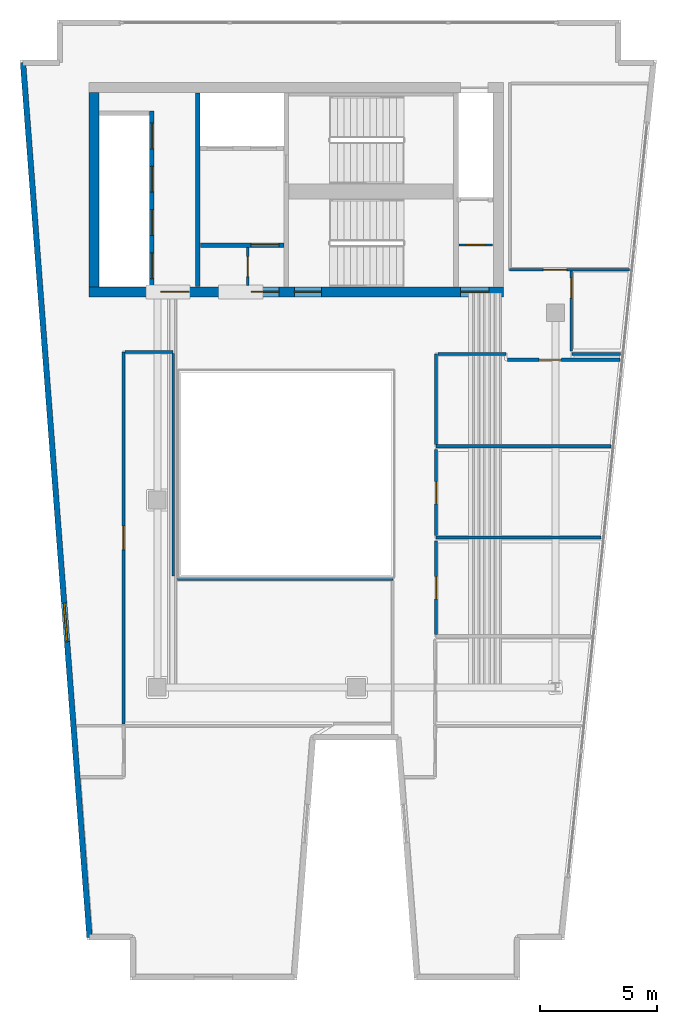
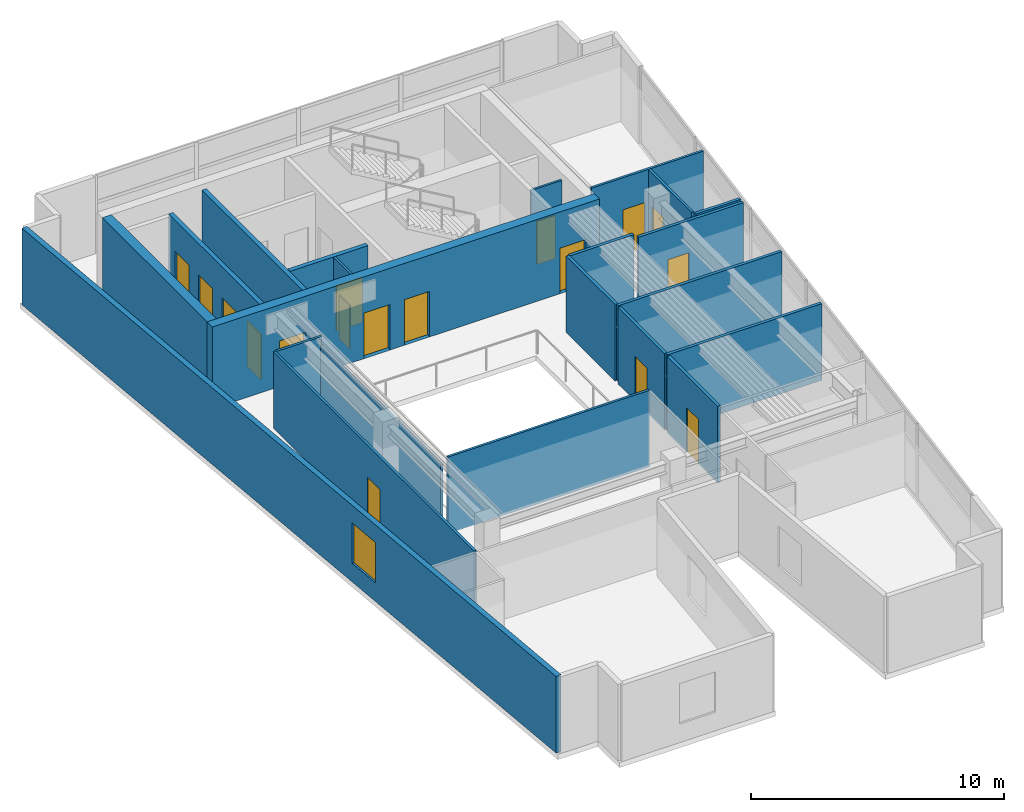
# One storey, part 3 of 6: 22 walls, 17 doors, 1 window, 18 openings.
"""IFC4 building model written with IfcOpenShell, lengths in metres."""

from ifc_helpers import new_model, si_unit, direction, frame, frame_2d, origin, place, context, subcontext, project, spatial, rectangle, extrude, material, layer, layer_set, type_object, element, fill, save


model = new_model("IFC4")

# Units and contexts
model_context = context("Model", 3, precision=1e-05, world=origin(), true_north=direction((0.0, 1.0)))
body_context = subcontext(model_context, "Body", "Model", "MODEL_VIEW")
ifc_project = project(units=[si_unit("LENGTHUNIT", "METRE"), si_unit("AREAUNIT", "SQUARE_METRE"), si_unit("VOLUMEUNIT", "CUBIC_METRE"), si_unit("PLANEANGLEUNIT", "RADIAN"), si_unit("MASSUNIT", "GRAM", prefix="KILO")], contexts=[model_context])

# Site, building, storey
site_placement = place(None, origin())
site = spatial("IfcSite", under=ifc_project, at=site_placement, CompositionType="ELEMENT")
building_placement = place(site_placement, origin())
building = spatial("IfcBuilding", under=site, at=building_placement, Name="Caeloran Harvest Quay", CompositionType="ELEMENT")
storey_placement = place(building_placement, frame((0.0, 0.0, 280.39990234375)))
storey = spatial("IfcBuildingStorey", under=building, at=storey_placement, Name="L67", CompositionType="ELEMENT", Elevation=280.39990234375)

# Wall, opening, window
ifc_material_1 = material(Name="Precast concrete C50/60", Category="concrete")
ifc_layer_1 = layer(ifc_material_1, 0.239990234375, Name="Precast concrete C50/60")
ifc_layer_set_1 = layer_set([ifc_layer_1], Name="Precast concrete C50/60")
wall_type_1 = type_object("IfcWallType", Name="ENV-WALL-EW-240", PredefinedType="STANDARD", material=ifc_layer_set_1)
wall_1_placement = place(storey_placement, frame((5.600341796875, 4.320068359375, 0.0), z_axis=(0.0, 0.0, 1.0), x_axis=(-0.075839920993, 0.997120006009, 0.0)))
wall_1 = element("IfcWall", 1, at=wall_1_placement, inside=storey, type_object=wall_type_1, Name="L67 Exterior Precast Concrete Facade Wall 3", PredefinedType="STANDARD", context=body_context, shape_type="SweptSolid", body=[
    extrude(rectangle(XDim=37.4677734375, YDim=0.239990234375, at=frame_2d((18.73388671875, 0.0))), origin(), (0.0, 0.0, 1.0), 3.7001953125),
])
opening_1_placement = place(wall_1_placement, frame((12.6630859375, 0.0, 0.89990234375)))
opening_1 = element("IfcOpeningElement", 2, at=opening_1_placement, cuts=wall_1, Name="Opening W-08", PredefinedType="OPENING", context=body_context, shape_type="SweptSolid", body=[
    extrude(rectangle(XDim=1.64990234375, YDim=1.949951171875, at=frame_2d((0.824951171875, 0.97509765625))), frame((0.0, 0.1298828125, 0.0), z_axis=(0.0, -1.0, 0.0), x_axis=(1.0, 0.0, 0.0)), (0.0, 0.0, 1.0), 0.260009765625),
])
ifc_material_2 = material(Name="Aluminium-Framed Low-E Laminated Glass", Category="aluminium")
window_type = type_object("IfcWindowType", Name="WIN-W-08", PartitioningType="SINGLE_PANEL", PredefinedType="WINDOW", material=ifc_material_2)
window_placement = place(opening_1_placement, origin())
window = element("IfcWindow", 3, at=window_placement, inside=storey, type_object=window_type, Name="L67 Facade Punched Window W-08", OverallHeight=1.949951171875, OverallWidth=1.64990234375, PartitioningType="SINGLE_PANEL", PredefinedType="WINDOW", context=body_context, shape_type="SweptSolid", body=[
    extrude(rectangle(XDim=1.64990234375, YDim=1.949951171875, at=frame_2d((0.824951171875, 0.97509765625))), frame((0.0, 0.030029296875, 0.0), z_axis=(0.0, -1.0, 0.0), x_axis=(1.0, 0.0, 0.0)), (0.0, 0.0, 1.0), 0.06005859375),
])
fill(opening_1, window)

# Wall, opening, door
ifc_material_3 = material(Name="Fire-Resisting Gypsum Core Riser Partition", Category="gypsum")
ifc_layer_2 = layer(ifc_material_3, 0.10009765625, Name="Fire-Resisting Gypsum Core Riser Partition")
ifc_layer_set_2 = layer_set([ifc_layer_2], Name="Fire-Resisting Gypsum Core Riser Partition")
wall_type_2 = type_object("IfcWallType", Name="INT-WALL-PW-100", PredefinedType="PARTITIONING", material=ifc_layer_set_2)
wall_2_placement = place(storey_placement, frame((12.360107421875, 32.159912109375, 0.0), z_axis=(0.0, 0.0, 1.0), x_axis=(0.0, 1.0, 0.0)))
wall_2 = element("IfcWall", 4, at=wall_2_placement, inside=storey, type_object=wall_type_2, Name="L67 Core Store Partition Wall", PredefinedType="PARTITIONING", context=body_context, shape_type="SweptSolid", body=[
    extrude(rectangle(XDim=1.6201171875, YDim=0.10009765625, at=frame_2d((0.81005859375, 0.0))), origin(), (0.0, 0.0, 1.0), 3.7001953125),
])
opening_2_placement = place(wall_2_placement, frame((0.3798828125, 0.0, 0.0)))
opening_2 = element("IfcOpeningElement", 5, at=opening_2_placement, cuts=wall_2, Name="Opening SV-01", PredefinedType="OPENING", context=body_context, shape_type="SweptSolid", body=[
    extrude(rectangle(XDim=0.85009765625, YDim=2.10009765625, at=frame_2d((0.425048828125, 1.050048828125))), frame((0.0, 0.06005859375, 0.0), z_axis=(0.0, -1.0, 0.0), x_axis=(1.0, 0.0, 0.0)), (0.0, 0.0, 1.0), 0.1201171875),
])
ifc_material_4 = material(Name="Galvanized Painted Steel", Category="steel")
door_type_1 = type_object("IfcDoorType", Name="INTDOOR-SV-01", OperationType="NOTDEFINED", PredefinedType="DOOR", material=ifc_material_4)
door_1_placement = place(opening_2_placement, origin())
door_1 = element("IfcDoor", 6, at=door_1_placement, inside=storey, type_object=door_type_1, Name="L67 Core Service Room Access Door", OperationType="SINGLE_SWING_LEFT", OverallHeight=2.10009765625, OverallWidth=0.85009765625, PredefinedType="DOOR", context=body_context, shape_type="SweptSolid", body=[
    extrude(rectangle(XDim=0.85009765625, YDim=2.10009765625, at=frame_2d((0.425048828125, 1.050048828125))), frame((0.0, 0.02490234375, 0.0), z_axis=(0.0, -1.0, 0.0), x_axis=(1.0, 0.0, 0.0)), (0.0, 0.0, 1.0), 0.050048828125),
])
fill(opening_2, door_1)

wall_3_placement = place(storey_placement, frame((21.3798828125, 33.889892578125, 0.0), z_axis=(0.0, 0.0, 1.0), x_axis=(1.0, 0.0, 0.0)))
wall_3 = element("IfcWall", 7, at=wall_3_placement, inside=storey, type_object=wall_type_2, Name="L67 Cleaner Store Partition Wall", PredefinedType="PARTITIONING", context=body_context, shape_type="SweptSolid", body=[
    extrude(rectangle(XDim=1.420166015625, YDim=0.10009765625, at=frame_2d((0.7099609375, 0.0))), origin(), (0.0, 0.0, 1.0), 3.7001953125),
])
opening_3_placement = place(wall_3_placement, frame((0.280029296875, 0.0, 0.0)))
opening_3 = element("IfcOpeningElement", 8, at=opening_3_placement, cuts=wall_3, Name="Opening SV-01", PredefinedType="OPENING", context=body_context, shape_type="SweptSolid", body=[
    extrude(rectangle(XDim=0.85009765625, YDim=2.10009765625, at=frame_2d((0.425048828125, 1.050048828125))), frame((0.0, 0.06005859375, 0.0), z_axis=(0.0, -1.0, 0.0), x_axis=(1.0, 0.0, 0.0)), (0.0, 0.0, 1.0), 0.1201171875),
])
door_2_placement = place(opening_3_placement, origin())
door_2 = element("IfcDoor", 9, at=door_2_placement, inside=storey, type_object=door_type_1, Name="L67 Cleaner Supply Store Access Door", OperationType="SINGLE_SWING_RIGHT", OverallHeight=2.10009765625, OverallWidth=0.85009765625, PredefinedType="DOOR", context=body_context, shape_type="SweptSolid", body=[
    extrude(rectangle(XDim=0.85009765625, YDim=2.10009765625, at=frame_2d((0.425048828125, 1.050048828125))), frame((0.0, 0.02490234375, 0.0), z_axis=(0.0, -1.0, 0.0), x_axis=(1.0, 0.0, 0.0)), (0.0, 0.0, 1.0), 0.050048828125),
])
fill(opening_3, door_2)

ifc_material_5 = material(Name="Single-Stud Acoustic Gypsum Office Partition", Category="gypsum")
ifc_layer_3 = layer(ifc_material_5, 0.112060546875, Name="Single-Stud Acoustic Gypsum Office Partition")
ifc_layer_set_3 = layer_set([ifc_layer_3], Name="Single-Stud Acoustic Gypsum Office Partition")
wall_type_3 = type_object("IfcWallType", Name="INT-WALL-PW-112", PredefinedType="PARTITIONING", material=ifc_layer_set_3)
wall_4_placement = place(storey_placement, frame((28.654052734375, 32.840087890625, 0.0), z_axis=(0.0, 0.0, 1.0), x_axis=(-1.0, 0.0, 0.0)))
wall_4 = element("IfcWall", 10, at=wall_4_placement, inside=storey, type_object=wall_type_3, Name="L67 Bioinformatics and Crop Phenotyping Laboratory Partition Wall", PredefinedType="PARTITIONING", context=body_context, shape_type="SweptSolid", body=[
    extrude(rectangle(XDim=5.114013671875, YDim=0.112060546875, at=frame_2d((2.55712890625, 0.0))), origin(), (0.0, 0.0, 1.0), 3.7001953125),
])
opening_4_placement = place(wall_4_placement, frame((2.6767578125, 0.0, 0.0)))
opening_4 = element("IfcOpeningElement", 11, at=opening_4_placement, cuts=wall_4, Name="Opening ID-01", PredefinedType="OPENING", context=body_context, shape_type="SweptSolid", body=[
    extrude(rectangle(XDim=1.0, YDim=2.14990234375, at=frame_2d((0.5, 1.074951171875))), frame((0.0, 0.06591796875, 0.0), z_axis=(0.0, -1.0, 0.0), x_axis=(1.0, 0.0, 0.0)), (0.0, 0.0, 1.0), 0.132080078125),
])
ifc_material_6 = material(Name="FSC Solid-Core Ash Timber and Acoustic Seal", Category="wood")
door_type_2 = type_object("IfcDoorType", Name="INTDOOR-ID-01", OperationType="NOTDEFINED", PredefinedType="DOOR", material=ifc_material_6)
door_3_placement = place(opening_4_placement, origin())
door_3 = element("IfcDoor", 12, at=door_3_placement, inside=storey, type_object=door_type_2, Name="L67 Bioinformatics and Crop Phenotyping Laboratory Access Door", OperationType="SINGLE_SWING_RIGHT", OverallHeight=2.14990234375, OverallWidth=1.0, PredefinedType="DOOR", context=body_context, shape_type="SweptSolid", body=[
    extrude(rectangle(XDim=1.0, YDim=2.14990234375, at=frame_2d((0.5, 1.074951171875))), frame((0.0, 0.02490234375, 0.0), z_axis=(0.0, -1.0, 0.0), x_axis=(1.0, 0.0, 0.0)), (0.0, 0.0, 1.0), 0.050048828125),
])
fill(opening_4, door_3)

# Wall
wall_5_placement = place(storey_placement, frame((9.35009765625, 19.6201171875, 0.0), z_axis=(0.0, 0.0, 1.0), x_axis=(1.0, 0.0, 0.0)))
element("IfcWall", 13, at=wall_5_placement, inside=storey, type_object=wall_type_3, Name="Managing Principal Office Partition Wall", PredefinedType="PARTITIONING", context=body_context, shape_type="SweptSolid", body=[
    extrude(rectangle(XDim=9.199951171875, YDim=0.112060546875, at=frame_2d((4.60009765625, 0.0))), origin(), (0.0, 0.0, 1.0), 3.7001953125),
])

# Wall, opening, door
wall_6_placement = place(storey_placement, frame((7.050048828125, 13.43994140625, 0.0), z_axis=(0.0, 0.0, 1.0), x_axis=(0.0, 1.0, 0.0)))
wall_6 = element("IfcWall", 14, at=wall_6_placement, inside=storey, type_object=wall_type_3, Name="Managing Principal Office Partition Wall", PredefinedType="PARTITIONING", context=body_context, shape_type="SweptSolid", body=[
    extrude(rectangle(XDim=15.880126953125, YDim=0.112060546875, at=frame_2d((7.93994140625, 0.0))), origin(), (0.0, 0.0, 1.0), 3.7001953125),
])
opening_5_placement = place(wall_6_placement, frame((7.43994140625, 0.0, 0.0)))
opening_5 = element("IfcOpeningElement", 15, at=opening_5_placement, cuts=wall_6, Name="Opening ID-01", PredefinedType="OPENING", context=body_context, shape_type="SweptSolid", body=[
    extrude(rectangle(XDim=1.0, YDim=2.14990234375, at=frame_2d((0.5, 1.074951171875))), frame((0.0, 0.06591796875, 0.0), z_axis=(0.0, -1.0, 0.0), x_axis=(1.0, 0.0, 0.0)), (0.0, 0.0, 1.0), 0.132080078125),
])
door_4_placement = place(opening_5_placement, origin())
door_4 = element("IfcDoor", 16, at=door_4_placement, inside=storey, type_object=door_type_2, Name="Managing Principal Office Access Door", OperationType="SINGLE_SWING_RIGHT", OverallHeight=2.14990234375, OverallWidth=1.0, PredefinedType="DOOR", context=body_context, shape_type="SweptSolid", body=[
    extrude(rectangle(XDim=1.0, YDim=2.14990234375, at=frame_2d((0.5, 1.074951171875))), frame((0.0, 0.02490234375, 0.0), z_axis=(0.0, -1.0, 0.0), x_axis=(1.0, 0.0, 0.0)), (0.0, 0.0, 1.0), 0.050048828125),
])
fill(opening_5, door_4)

# Walls
wall_7_placement = place(storey_placement, frame((7.111083984375, 29.320068359375, 0.0), z_axis=(0.0, 0.0, 1.0), x_axis=(1.0, 0.0, 0.0)))
element("IfcWall", 17, at=wall_7_placement, inside=storey, type_object=wall_type_3, Name="Managing Principal Office Partition Wall", PredefinedType="PARTITIONING", context=body_context, shape_type="SweptSolid", body=[
    extrude(rectangle(XDim=2.058837890625, YDim=0.112060546875, at=frame_2d((1.029296875, 0.0))), origin(), (0.0, 0.0, 1.0), 3.7001953125),
])
wall_8_placement = place(storey_placement, frame((9.169921875, 29.259033203125, 0.0), z_axis=(0.0, 0.0, 1.0), x_axis=(0.0, -1.0, 0.0)))
element("IfcWall", 18, at=wall_8_placement, inside=storey, type_object=wall_type_3, Name="Managing Principal Office Partition Wall", PredefinedType="PARTITIONING", context=body_context, shape_type="SweptSolid", body=[
    extrude(rectangle(XDim=9.509033203125, YDim=0.112060546875, at=frame_2d((4.75439453125, 0.0))), origin(), (0.0, 0.0, 1.0), 3.28515625),
])

# Wall, opening, door
wall_9_placement = place(storey_placement, frame((26.179931640625, 29.3701171875, 0.0), z_axis=(0.0, 0.0, 1.0), x_axis=(0.0, 1.0, 0.0)))
wall_9 = element("IfcWall", 19, at=wall_9_placement, inside=storey, type_object=wall_type_3, Name="Executive Sky-Floor Office 5 Partition Wall", PredefinedType="PARTITIONING", context=body_context, shape_type="SweptSolid", body=[
    extrude(rectangle(XDim=3.408935546875, YDim=0.112060546875, at=frame_2d((1.70458984375, 0.0))), origin(), (0.0, 0.0, 1.0), 3.7001953125),
])
opening_6_placement = place(wall_9_placement, frame((2.25341796875, 0.0, 0.0)))
opening_6 = element("IfcOpeningElement", 20, at=opening_6_placement, cuts=wall_9, Name="Opening SV-01", PredefinedType="OPENING", context=body_context, shape_type="SweptSolid", body=[
    extrude(rectangle(XDim=0.85009765625, YDim=2.10009765625, at=frame_2d((0.425048828125, 1.050048828125))), frame((0.0, 0.06591796875, 0.0), z_axis=(0.0, -1.0, 0.0), x_axis=(1.0, 0.0, 0.0)), (0.0, 0.0, 1.0), 0.132080078125),
])
door_5_placement = place(opening_6_placement, origin())
door_5 = element("IfcDoor", 21, at=door_5_placement, inside=storey, type_object=door_type_1, Name="Executive Sky-Floor Office 5 Access Door", OperationType="SINGLE_SWING_LEFT", OverallHeight=2.10009765625, OverallWidth=0.85009765625, PredefinedType="DOOR", context=body_context, shape_type="SweptSolid", body=[
    extrude(rectangle(XDim=0.85009765625, YDim=2.10009765625, at=frame_2d((0.425048828125, 1.050048828125))), frame((0.0, 0.02490234375, 0.0), z_axis=(0.0, -1.0, 0.0), x_axis=(1.0, 0.0, 0.0)), (0.0, 0.0, 1.0), 0.050048828125),
])
fill(opening_6, door_5)

ifc_material_7 = material(Name="Moisture-Resistant Cement-Board Sanitary Partition", Category="gypsum")
ifc_layer_4 = layer(ifc_material_7, 0.139892578125, Name="Moisture-Resistant Cement-Board Sanitary Partition")
ifc_layer_set_4 = layer_set([ifc_layer_4], Name="Moisture-Resistant Cement-Board Sanitary Partition")
wall_type_4 = type_object("IfcWallType", Name="INT-WALL-PW-140", PredefinedType="PARTITIONING", material=ifc_layer_set_4)
wall_10_placement = place(storey_placement, frame((23.449951171875, 28.989990234375, 0.0), z_axis=(0.0, 0.0, 1.0), x_axis=(1.0, 0.0, 0.0)))
wall_10 = element("IfcWall", 22, at=wall_10_placement, inside=storey, type_object=wall_type_4, Name="L67 Male Washroom WC Partition Wall", PredefinedType="PARTITIONING", context=body_context, shape_type="SweptSolid", body=[
    extrude(rectangle(XDim=4.799560546875, YDim=0.139892578125, at=frame_2d((2.39990234375, 0.0))), origin(), (0.0, 0.0, 1.0), 3.7001953125),
])
opening_7_placement = place(wall_10_placement, frame((1.347412109375, 0.0, 0.0)))
opening_7 = element("IfcOpeningElement", 23, at=opening_7_placement, cuts=wall_10, Name="Opening WC-01", PredefinedType="OPENING", context=body_context, shape_type="SweptSolid", body=[
    extrude(rectangle(XDim=0.949951171875, YDim=2.14990234375, at=frame_2d((0.47509765625, 1.074951171875))), frame((0.0, 0.080078125, 0.0), z_axis=(0.0, -1.0, 0.0), x_axis=(1.0, 0.0, 0.0)), (0.0, 0.0, 1.0), 0.159912109375),
])
ifc_material_8 = material(Name="High-Pressure Laminate Moisture-Resistant Timber", Category="wood")
door_type_3 = type_object("IfcDoorType", Name="INTDOOR-WC-01", OperationType="NOTDEFINED", PredefinedType="DOOR", material=ifc_material_8)
door_6_placement = place(opening_7_placement, origin())
door_6 = element("IfcDoor", 24, at=door_6_placement, inside=storey, type_object=door_type_3, Name="L67 Male Washroom WC Access Door", OperationType="SINGLE_SWING_RIGHT", OverallHeight=2.14990234375, OverallWidth=0.949951171875, PredefinedType="DOOR", context=body_context, shape_type="SweptSolid", body=[
    extrude(rectangle(XDim=0.949951171875, YDim=2.14990234375, at=frame_2d((0.47509765625, 1.074951171875))), frame((0.0, 0.02490234375, 0.0), z_axis=(0.0, -1.0, 0.0), x_axis=(1.0, 0.0, 0.0)), (0.0, 0.0, 1.0), 0.050048828125),
])
fill(opening_7, door_6)

# Walls
wall_11_placement = place(storey_placement, frame((26.2099609375, 29.239990234375, 0.0), z_axis=(0.0, 0.0, 1.0), x_axis=(1.0, 0.0, 0.0)))
element("IfcWall", 25, at=wall_11_placement, inside=storey, type_object=wall_type_4, Name="L67 Male Washroom WC Partition Wall", PredefinedType="PARTITIONING", context=body_context, shape_type="SweptSolid", body=[
    extrude(rectangle(XDim=2.06591796875, YDim=0.139892578125, at=frame_2d((1.032958984375, 0.0))), origin(), (0.0, 0.0, 1.0), 3.7001953125),
])
wall_12_placement = place(storey_placement, frame((27.862060546875, 25.300048828125, 0.0), z_axis=(0.0, 0.0, 1.0), x_axis=(-1.0, 0.0, 0.0)))
element("IfcWall", 26, at=wall_12_placement, inside=storey, type_object=wall_type_4, Name="L67 Male Washroom WC Partition Wall", PredefinedType="PARTITIONING", context=body_context, shape_type="SweptSolid", body=[
    extrude(rectangle(XDim=7.462158203125, YDim=0.139892578125, at=frame_2d((3.73095703125, 0.0))), origin(), (0.0, 0.0, 1.0), 3.7001953125),
])
wall_13_placement = place(storey_placement, frame((20.39990234375, 25.375, 0.0), z_axis=(0.0, 0.0, 1.0), x_axis=(0.0, 1.0, 0.0)))
element("IfcWall", 27, at=wall_13_placement, inside=storey, type_object=wall_type_4, Name="L67 Male Washroom WC Partition Wall", PredefinedType="PARTITIONING", context=body_context, shape_type="SweptSolid", body=[
    extrude(rectangle(XDim=3.864990234375, YDim=0.139892578125, at=frame_2d((1.9326171875, 0.0))), origin(), (0.0, 0.0, 1.0), 3.7001953125),
])
wall_14_placement = place(storey_placement, frame((20.47509765625, 29.239990234375, 0.0), z_axis=(0.0, 0.0, 1.0), x_axis=(1.0, 0.0, 0.0)))
element("IfcWall", 28, at=wall_14_placement, inside=storey, type_object=wall_type_4, Name="L67 Male Washroom WC Partition Wall", PredefinedType="PARTITIONING", context=body_context, shape_type="SweptSolid", body=[
    extrude(rectangle(XDim=2.914794921875, YDim=0.139892578125, at=frame_2d((1.45751953125, 0.0))), origin(), (0.0, 0.0, 1.0), 3.7001953125),
])
wall_15_placement = place(storey_placement, frame((27.452392578125, 21.39990234375, 0.0), z_axis=(0.0, 0.0, 1.0), x_axis=(-1.0, 0.0, 0.0)))
element("IfcWall", 29, at=wall_15_placement, inside=storey, type_object=wall_type_4, Name="L67 Female Washroom WC Partition Wall", PredefinedType="PARTITIONING", context=body_context, shape_type="SweptSolid", body=[
    extrude(rectangle(XDim=7.052490234375, YDim=0.139892578125, at=frame_2d((3.5263671875, 0.0))), origin(), (0.0, 0.0, 1.0), 3.7001953125),
])

# Wall, opening, door
wall_16_placement = place(storey_placement, frame((20.39990234375, 21.47509765625, 0.0), z_axis=(0.0, 0.0, 1.0), x_axis=(0.0, 1.0, 0.0)))
wall_16 = element("IfcWall", 30, at=wall_16_placement, inside=storey, type_object=wall_type_4, Name="L67 Female Washroom WC Partition Wall", PredefinedType="PARTITIONING", context=body_context, shape_type="SweptSolid", body=[
    extrude(rectangle(XDim=3.6748046875, YDim=0.139892578125, at=frame_2d((1.83740234375, 0.0))), origin(), (0.0, 0.0, 1.0), 3.7001953125),
])
opening_8_placement = place(wall_16_placement, frame((1.362548828125, 0.0, 0.0)))
opening_8 = element("IfcOpeningElement", 31, at=opening_8_placement, cuts=wall_16, Name="Opening WC-01", PredefinedType="OPENING", context=body_context, shape_type="SweptSolid", body=[
    extrude(rectangle(XDim=0.949951171875, YDim=2.14990234375, at=frame_2d((0.47509765625, 1.074951171875))), frame((0.0, 0.080078125, 0.0), z_axis=(0.0, -1.0, 0.0), x_axis=(1.0, 0.0, 0.0)), (0.0, 0.0, 1.0), 0.159912109375),
])
door_7_placement = place(opening_8_placement, origin())
door_7 = element("IfcDoor", 32, at=door_7_placement, inside=storey, type_object=door_type_3, Name="L67 Female Washroom WC Access Door", OperationType="SINGLE_SWING_LEFT", OverallHeight=2.14990234375, OverallWidth=0.949951171875, PredefinedType="DOOR", context=body_context, shape_type="SweptSolid", body=[
    extrude(rectangle(XDim=0.949951171875, YDim=2.14990234375, at=frame_2d((0.47509765625, 1.074951171875))), frame((0.0, 0.02490234375, 0.0), z_axis=(0.0, -1.0, 0.0), x_axis=(1.0, 0.0, 0.0)), (0.0, 0.0, 1.0), 0.050048828125),
])
fill(opening_8, door_7)

wall_17_placement = place(storey_placement, frame((20.39990234375, 17.2548828125, 0.0), z_axis=(0.0, 0.0, 1.0), x_axis=(0.0, 1.0, 0.0)))
wall_17 = element("IfcWall", 33, at=wall_17_placement, inside=storey, type_object=wall_type_4, Name="L67 Accessible Unisex Washroom WC Partition Wall", PredefinedType="PARTITIONING", context=body_context, shape_type="SweptSolid", body=[
    extrude(rectangle(XDim=3.9951171875, YDim=0.139892578125, at=frame_2d((1.99755859375, 0.0))), origin(), (0.0, 0.0, 1.0), 3.7001953125),
])
opening_9_placement = place(wall_17_placement, frame((1.5224609375, 0.0, 0.0)))
opening_9 = element("IfcOpeningElement", 34, at=opening_9_placement, cuts=wall_17, Name="Opening WC-01", PredefinedType="OPENING", context=body_context, shape_type="SweptSolid", body=[
    extrude(rectangle(XDim=0.949951171875, YDim=2.14990234375, at=frame_2d((0.47509765625, 1.074951171875))), frame((0.0, 0.080078125, 0.0), z_axis=(0.0, -1.0, 0.0), x_axis=(1.0, 0.0, 0.0)), (0.0, 0.0, 1.0), 0.159912109375),
])
door_8_placement = place(opening_9_placement, origin())
door_8 = element("IfcDoor", 35, at=door_8_placement, inside=storey, type_object=door_type_3, Name="L67 Accessible Unisex Washroom WC Access Door", OperationType="SINGLE_SWING_RIGHT", OverallHeight=2.14990234375, OverallWidth=0.949951171875, PredefinedType="DOOR", context=body_context, shape_type="SweptSolid", body=[
    extrude(rectangle(XDim=0.949951171875, YDim=2.14990234375, at=frame_2d((0.47509765625, 1.074951171875))), frame((0.0, 0.02490234375, 0.0), z_axis=(0.0, -1.0, 0.0), x_axis=(1.0, 0.0, 0.0)), (0.0, 0.0, 1.0), 0.050048828125),
])
fill(opening_9, door_8)

# Wall, openings, doors
ifc_material_9 = material(Name="Concrete C50/60", Category="concrete")
ifc_layer_5 = layer(ifc_material_9, 0.199951171875, Name="Concrete C50/60")
ifc_layer_set_5 = layer_set([ifc_layer_5], Name="Concrete C50/60")
wall_type_5 = type_object("IfcWallType", Name="INT-WALL-SW-200", PredefinedType="PARTITIONING", material=ifc_layer_set_5)
wall_18_placement = place(storey_placement, frame((8.260009765625, 32.1201171875, 0.0), z_axis=(0.0, 0.0, 1.0), x_axis=(0.0, 1.0, 0.0)))
wall_18 = element("IfcWall", 36, at=wall_18_placement, inside=storey, type_object=wall_type_5, Name="L67 Bank 3 Lift Shaft Wall", PredefinedType="PARTITIONING", context=body_context, shape_type="SweptSolid", body=[
    extrude(rectangle(XDim=7.5, YDim=0.199951171875, at=frame_2d((3.75, 0.0))), origin(), (0.0, 0.0, 1.0), 3.7001953125),
])
opening_10_placement = place(wall_18_placement, frame((0.330078125, 0.0, 0.0)))
opening_10 = element("IfcOpeningElement", 37, at=opening_10_placement, cuts=wall_18, Name="Opening LD-01", PredefinedType="OPENING", context=body_context, shape_type="SweptSolid", body=[
    extrude(rectangle(XDim=1.10009765625, YDim=2.199951171875, at=frame_2d((0.550048828125, 1.10009765625))), frame((0.0, 0.10986328125, 0.0), z_axis=(0.0, -1.0, 0.0), x_axis=(1.0, 0.0, 0.0)), (0.0, 0.0, 1.0), 0.219970703125),
])
opening_11_placement = place(wall_18_placement, frame((2.179931640625, 0.0, 0.0)))
opening_11 = element("IfcOpeningElement", 38, at=opening_11_placement, cuts=wall_18, Name="Opening LD-01", PredefinedType="OPENING", context=body_context, shape_type="SweptSolid", body=[
    extrude(rectangle(XDim=1.10009765625, YDim=2.199951171875, at=frame_2d((0.550048828125, 1.10009765625))), frame((0.0, 0.10986328125, 0.0), z_axis=(0.0, -1.0, 0.0), x_axis=(1.0, 0.0, 0.0)), (0.0, 0.0, 1.0), 0.219970703125),
])
opening_12_placement = place(wall_18_placement, frame((4.030029296875, 0.0, 0.0)))
opening_12 = element("IfcOpeningElement", 39, at=opening_12_placement, cuts=wall_18, Name="Opening LD-01", PredefinedType="OPENING", context=body_context, shape_type="SweptSolid", body=[
    extrude(rectangle(XDim=1.10009765625, YDim=2.199951171875, at=frame_2d((0.550048828125, 1.10009765625))), frame((0.0, 0.10986328125, 0.0), z_axis=(0.0, -1.0, 0.0), x_axis=(1.0, 0.0, 0.0)), (0.0, 0.0, 1.0), 0.219970703125),
])
opening_13_placement = place(wall_18_placement, frame((5.8798828125, 0.0, 0.0)))
opening_13 = element("IfcOpeningElement", 40, at=opening_13_placement, cuts=wall_18, Name="Opening LD-01", PredefinedType="OPENING", context=body_context, shape_type="SweptSolid", body=[
    extrude(rectangle(XDim=1.10009765625, YDim=2.199951171875, at=frame_2d((0.550048828125, 1.10009765625))), frame((0.0, 0.10986328125, 0.0), z_axis=(0.0, -1.0, 0.0), x_axis=(1.0, 0.0, 0.0)), (0.0, 0.0, 1.0), 0.219970703125),
])
ifc_material_10 = material(Name="Stainless Steel Grade 316", Category="steel")
door_type_4 = type_object("IfcDoorType", Name="INTDOOR-LD-01", OperationType="NOTDEFINED", PredefinedType="DOOR", material=ifc_material_10)
door_9_placement = place(opening_10_placement, origin())
door_9 = element("IfcDoor", 41, at=door_9_placement, inside=storey, type_object=door_type_4, Name="Lift P3-1 Sliding Landing Door (L67)", OperationType="DOUBLE_DOOR_SLIDING", OverallHeight=2.199951171875, OverallWidth=1.10009765625, PredefinedType="DOOR", context=body_context, shape_type="SweptSolid", body=[
    extrude(rectangle(XDim=1.10009765625, YDim=2.199951171875, at=frame_2d((0.550048828125, 1.10009765625))), frame((0.0, 0.02490234375, 0.0), z_axis=(0.0, -1.0, 0.0), x_axis=(1.0, 0.0, 0.0)), (0.0, 0.0, 1.0), 0.050048828125),
])
fill(opening_10, door_9)
door_10_placement = place(opening_11_placement, origin())
door_10 = element("IfcDoor", 42, at=door_10_placement, inside=storey, type_object=door_type_4, Name="Lift P3-2 Sliding Landing Door (L67)", OperationType="DOUBLE_DOOR_SLIDING", OverallHeight=2.199951171875, OverallWidth=1.10009765625, PredefinedType="DOOR", context=body_context, shape_type="SweptSolid", body=[
    extrude(rectangle(XDim=1.10009765625, YDim=2.199951171875, at=frame_2d((0.550048828125, 1.10009765625))), frame((0.0, 0.02490234375, 0.0), z_axis=(0.0, -1.0, 0.0), x_axis=(1.0, 0.0, 0.0)), (0.0, 0.0, 1.0), 0.050048828125),
])
fill(opening_11, door_10)
door_11_placement = place(opening_12_placement, origin())
door_11 = element("IfcDoor", 43, at=door_11_placement, inside=storey, type_object=door_type_4, Name="Lift P3-3 Sliding Landing Door (L67)", OperationType="DOUBLE_DOOR_SLIDING", OverallHeight=2.199951171875, OverallWidth=1.10009765625, PredefinedType="DOOR", context=body_context, shape_type="SweptSolid", body=[
    extrude(rectangle(XDim=1.10009765625, YDim=2.199951171875, at=frame_2d((0.550048828125, 1.10009765625))), frame((0.0, 0.02490234375, 0.0), z_axis=(0.0, -1.0, 0.0), x_axis=(1.0, 0.0, 0.0)), (0.0, 0.0, 1.0), 0.050048828125),
])
fill(opening_12, door_11)
door_12_placement = place(opening_13_placement, origin())
door_12 = element("IfcDoor", 44, at=door_12_placement, inside=storey, type_object=door_type_4, Name="Lift P3-4 Sliding Landing Door (L67)", OperationType="DOUBLE_DOOR_SLIDING", OverallHeight=2.199951171875, OverallWidth=1.10009765625, PredefinedType="DOOR", context=body_context, shape_type="SweptSolid", body=[
    extrude(rectangle(XDim=1.10009765625, YDim=2.199951171875, at=frame_2d((0.550048828125, 1.10009765625))), frame((0.0, 0.02490234375, 0.0), z_axis=(0.0, -1.0, 0.0), x_axis=(1.0, 0.0, 0.0)), (0.0, 0.0, 1.0), 0.050048828125),
])
fill(opening_13, door_12)

# Wall
wall_19_placement = place(storey_placement, frame((10.219970703125, 32.1201171875, 0.0), z_axis=(0.0, 0.0, 1.0), x_axis=(0.0, 1.0, 0.0)))
element("IfcWall", 45, at=wall_19_placement, inside=storey, type_object=wall_type_5, Name="L67 Core Lobby Compartment Wall", PredefinedType="PARTITIONING", context=body_context, shape_type="SweptSolid", body=[
    extrude(rectangle(XDim=8.259765625, YDim=0.199951171875, at=frame_2d((4.1298828125, 0.0))), origin(), (0.0, 0.0, 1.0), 3.7001953125),
])

# Wall, opening, door
wall_20_placement = place(storey_placement, frame((10.340087890625, 33.8798828125, 0.0), z_axis=(0.0, 0.0, 1.0), x_axis=(1.0, 0.0, 0.0)))
wall_20 = element("IfcWall", 46, at=wall_20_placement, inside=storey, type_object=wall_type_5, Name="L67 Firefighting Lift Lobby Enclosure Wall", PredefinedType="PARTITIONING", context=body_context, shape_type="SweptSolid", body=[
    extrude(rectangle(XDim=3.559814453125, YDim=0.199951171875, at=frame_2d((1.77978515625, 0.0))), origin(), (0.0, 0.0, 1.0), 3.7001953125),
])
opening_14_placement = place(wall_20_placement, frame((2.14990234375, 0.0, 0.0)))
opening_14 = element("IfcOpeningElement", 47, at=opening_14_placement, cuts=wall_20, Name="Opening FD-01", PredefinedType="OPENING", context=body_context, shape_type="SweptSolid", body=[
    extrude(rectangle(XDim=1.199951171875, YDim=2.199951171875, at=frame_2d((0.60009765625, 1.10009765625))), frame((0.0, 0.10986328125, 0.0), z_axis=(0.0, -1.0, 0.0), x_axis=(1.0, 0.0, 0.0)), (0.0, 0.0, 1.0), 0.219970703125),
])
ifc_material_11 = material(Name="Steel", Category="steel")
door_type_5 = type_object("IfcDoorType", Name="INTDOOR-FD-01", OperationType="NOTDEFINED", PredefinedType="DOOR", material=ifc_material_11)
door_13_placement = place(opening_14_placement, origin())
door_13 = element("IfcDoor", 48, at=door_13_placement, inside=storey, type_object=door_type_5, Name="L67 Firefighting Lift Lobby Smoke-Seal Fire Door", OperationType="SINGLE_SWING_RIGHT", OverallHeight=2.199951171875, OverallWidth=1.199951171875, PredefinedType="DOOR", context=body_context, shape_type="SweptSolid", body=[
    extrude(rectangle(XDim=1.199951171875, YDim=2.199951171875, at=frame_2d((0.60009765625, 1.10009765625))), frame((0.0, 0.02490234375, 0.0), z_axis=(0.0, -1.0, 0.0), x_axis=(1.0, 0.0, 0.0)), (0.0, 0.0, 1.0), 0.050048828125),
])
fill(opening_14, door_13)

# Wall, openings, doors
ifc_material_12 = material(Name="Concrete C60/75", Category="concrete")
ifc_layer_6 = layer(ifc_material_12, 0.419921875, Name="Concrete C60/75")
ifc_layer_set_6 = layer_set([ifc_layer_6], Name="Concrete C60/75")
wall_type_6 = type_object("IfcWallType", Name="STR-WALL-CW-420", PredefinedType="SHEAR", material=ifc_layer_set_6)
wall_21_placement = place(storey_placement, frame((5.580078125, 31.889892578125, 0.0), z_axis=(0.0, 0.0, 1.0), x_axis=(1.0, 0.0, 0.0)))
wall_21 = element("IfcWall", 49, at=wall_21_placement, inside=storey, type_object=wall_type_6, Name="L67 Rear Core Shear Wall S", PredefinedType="SHEAR", context=body_context, shape_type="SweptSolid", body=[
    extrude(rectangle(XDim=17.68994140625, YDim=0.419921875, at=frame_2d((8.844970703125, 0.0))), origin(), (0.0, 0.0, 1.0), 3.9501953125),
])
opening_15_placement = place(wall_21_placement, frame((3.070068359375, 0.0, 0.0)))
opening_15 = element("IfcOpeningElement", 50, at=opening_15_placement, cuts=wall_21, Name="Opening FD-01", PredefinedType="OPENING", context=body_context, shape_type="SweptSolid", body=[
    extrude(rectangle(XDim=1.199951171875, YDim=2.199951171875, at=frame_2d((0.60009765625, 1.10009765625))), frame((0.0, 0.219970703125, 0.0), z_axis=(0.0, -1.0, 0.0), x_axis=(1.0, 0.0, 0.0)), (0.0, 0.0, 1.0), 0.43994140625),
])
opening_16_placement = place(wall_21_placement, frame((6.919921875, 0.0, 0.0)))
opening_16 = element("IfcOpeningElement", 51, at=opening_16_placement, cuts=wall_21, Name="Opening FD-01", PredefinedType="OPENING", context=body_context, shape_type="SweptSolid", body=[
    extrude(rectangle(XDim=1.199951171875, YDim=2.199951171875, at=frame_2d((0.60009765625, 1.10009765625))), frame((0.0, 0.219970703125, 0.0), z_axis=(0.0, -1.0, 0.0), x_axis=(1.0, 0.0, 0.0)), (0.0, 0.0, 1.0), 0.43994140625),
])
opening_17_placement = place(wall_21_placement, frame((8.77001953125, 0.0, 0.0)))
opening_17 = element("IfcOpeningElement", 52, at=opening_17_placement, cuts=wall_21, Name="Opening SD-01", PredefinedType="OPENING", context=body_context, shape_type="SweptSolid", body=[
    extrude(rectangle(XDim=1.14990234375, YDim=2.199951171875, at=frame_2d((0.574951171875, 1.10009765625))), frame((0.0, 0.219970703125, 0.0), z_axis=(0.0, -1.0, 0.0), x_axis=(1.0, 0.0, 0.0)), (0.0, 0.0, 1.0), 0.43994140625),
])
opening_18_placement = place(wall_21_placement, frame((15.8701171875, 0.0, 0.0)))
opening_18 = element("IfcOpeningElement", 53, at=opening_18_placement, cuts=wall_21, Name="Opening FD-01", PredefinedType="OPENING", context=body_context, shape_type="SweptSolid", body=[
    extrude(rectangle(XDim=1.199951171875, YDim=2.199951171875, at=frame_2d((0.60009765625, 1.10009765625))), frame((0.0, 0.219970703125, 0.0), z_axis=(0.0, -1.0, 0.0), x_axis=(1.0, 0.0, 0.0)), (0.0, 0.0, 1.0), 0.43994140625),
])
door_14_placement = place(opening_15_placement, origin())
door_14 = element("IfcDoor", 54, at=door_14_placement, inside=storey, type_object=door_type_5, Name="L67 High-Rise Lift Lobby Fire Door", OperationType="SINGLE_SWING_RIGHT", OverallHeight=2.199951171875, OverallWidth=1.199951171875, PredefinedType="DOOR", context=body_context, shape_type="SweptSolid", body=[
    extrude(rectangle(XDim=1.199951171875, YDim=2.199951171875, at=frame_2d((0.60009765625, 1.10009765625))), frame((0.0, 0.02490234375, 0.0), z_axis=(0.0, -1.0, 0.0), x_axis=(1.0, 0.0, 0.0)), (0.0, 0.0, 1.0), 0.050048828125),
])
fill(opening_15, door_14)
door_15_placement = place(opening_16_placement, origin())
door_15 = element("IfcDoor", 55, at=door_15_placement, inside=storey, type_object=door_type_5, Name="L67 Firefighting Lobby Vestibule Fire Door", OperationType="SINGLE_SWING_LEFT", OverallHeight=2.199951171875, OverallWidth=1.199951171875, PredefinedType="DOOR", context=body_context, shape_type="SweptSolid", body=[
    extrude(rectangle(XDim=1.199951171875, YDim=2.199951171875, at=frame_2d((0.60009765625, 1.10009765625))), frame((0.0, 0.02490234375, 0.0), z_axis=(0.0, -1.0, 0.0), x_axis=(1.0, 0.0, 0.0)), (0.0, 0.0, 1.0), 0.050048828125),
])
fill(opening_16, door_15)
door_16_placement = place(opening_18_placement, origin())
door_16 = element("IfcDoor", 56, at=door_16_placement, inside=storey, type_object=door_type_5, Name="L67 Service Lift Lobby Fire Door", OperationType="SINGLE_SWING_LEFT", OverallHeight=2.199951171875, OverallWidth=1.199951171875, PredefinedType="DOOR", context=body_context, shape_type="SweptSolid", body=[
    extrude(rectangle(XDim=1.199951171875, YDim=2.199951171875, at=frame_2d((0.60009765625, 1.10009765625))), frame((0.0, 0.02490234375, 0.0), z_axis=(0.0, -1.0, 0.0), x_axis=(1.0, 0.0, 0.0)), (0.0, 0.0, 1.0), 0.050048828125),
])
fill(opening_18, door_16)
door_type_6 = type_object("IfcDoorType", Name="INTDOOR-SD-01", OperationType="NOTDEFINED", PredefinedType="DOOR", material=ifc_material_11)
door_17_placement = place(opening_17_placement, origin())
door_17 = element("IfcDoor", 57, at=door_17_placement, inside=storey, type_object=door_type_6, Name="L67 Protected Stair ST-C2 Exit Door", OperationType="SINGLE_SWING_RIGHT", OverallHeight=2.199951171875, OverallWidth=1.14990234375, PredefinedType="DOOR", context=body_context, shape_type="SweptSolid", body=[
    extrude(rectangle(XDim=1.14990234375, YDim=2.199951171875, at=frame_2d((0.574951171875, 1.10009765625))), frame((0.0, 0.02490234375, 0.0), z_axis=(0.0, -1.0, 0.0), x_axis=(1.0, 0.0, 0.0)), (0.0, 0.0, 1.0), 0.050048828125),
])
fill(opening_17, door_17)

# Wall
wall_22_placement = place(storey_placement, frame((5.7900390625, 32.10009765625, 0.0), z_axis=(0.0, 0.0, 1.0), x_axis=(0.0, 1.0, 0.0)))
element("IfcWall", 58, at=wall_22_placement, inside=storey, type_object=wall_type_6, Name="L67 Rear Core Shear Wall W", PredefinedType="SHEAR", context=body_context, shape_type="SweptSolid", body=[
    extrude(rectangle(XDim=8.2998046875, YDim=0.419921875, at=frame_2d((4.14990234375, 0.0))), origin(), (0.0, 0.0, 1.0), 3.9501953125),
])

save(model, "model.ifc")
